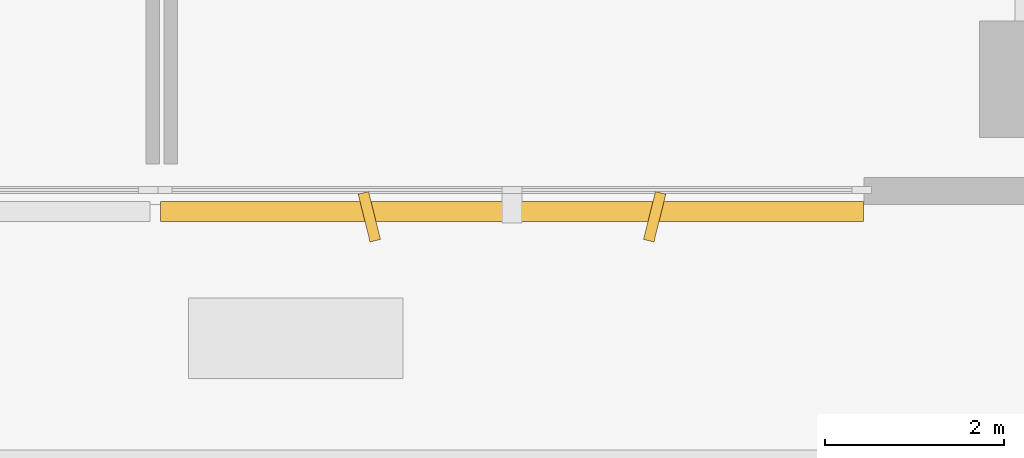
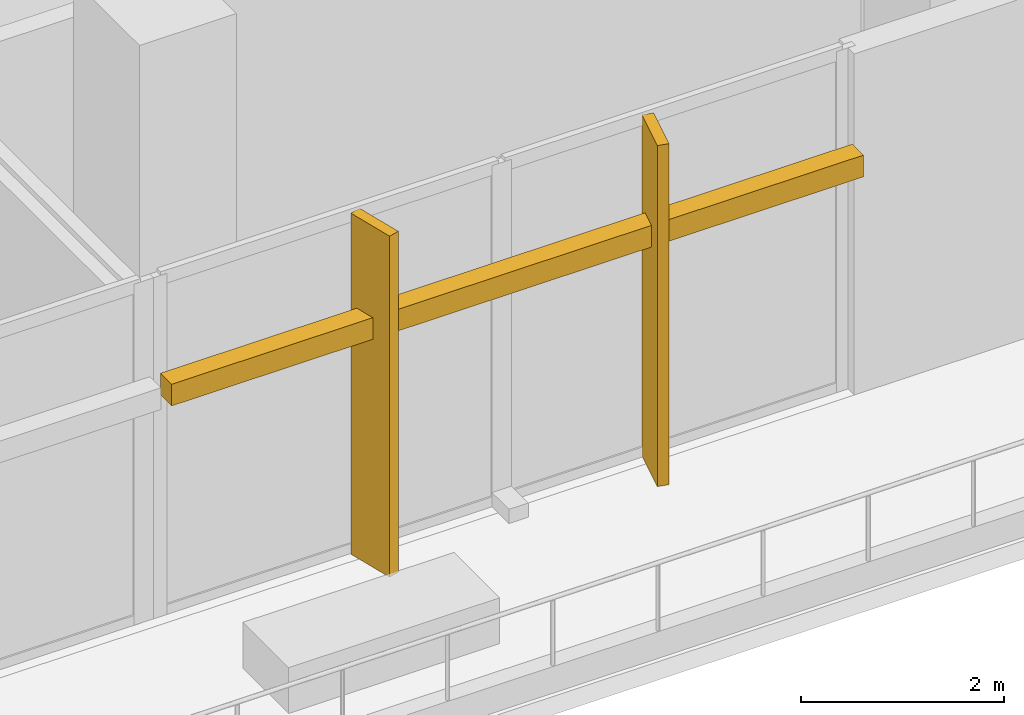
# One storey, part 22 of 31: 3 shading devices.
"""IFC4 building model written with IfcOpenShell, lengths in metres."""

import ifcopenshell
import ifcopenshell.guid

model = None  # the IFC model being written
_history = None  # IfcOwnerHistory: only IFC2X3 demands one
_inside = {}  # id of a spatial element -> (the spatial element, [elements in it])
_under = {}  # id of a project, library or spatial element -> (it, [spatial elements below it])
_declared = {}  # id of a project -> (the project, [libraries it declares])
_typed = {}  # id of a type object -> (the type object, [elements of that type])
_made_of = {}  # id of a material, layer set ... -> (it, [elements and type objects made of it])


def new_model(schema):
    """Start an empty IFC model of exactly this schema.

    Asked for "IFC4X3", IfcOpenShell would pick the latest addendum, in which some entities
    have other attributes; the version numbers below select the first issue.
    IFC2X3 requires an IfcOwnerHistory on every rooted entity: one is made here for all.
    """
    global model, _history
    if schema == "IFC4X3":
        model = ifcopenshell.file(schema_version=(4, 3, 0, 0))
    else:
        model = ifcopenshell.file(schema=schema)
    _inside.clear()
    _under.clear()
    _declared.clear()
    _typed.clear()
    _made_of.clear()
    _history = None
    if model.schema == "IFC2X3":
        org = make("IfcOrganization", Name="unknown")
        user = make(
            "IfcPersonAndOrganization",
            ThePerson=make("IfcPerson", FamilyName="unknown"),
            TheOrganization=org,
        )
        app = make(
            "IfcApplication",
            ApplicationDeveloper=org,
            Version="unknown",
            ApplicationFullName="unknown",
            ApplicationIdentifier="unknown",
        )
        _history = make(
            "IfcOwnerHistory",
            OwningUser=user,
            OwningApplication=app,
            ChangeAction="ADDED",
            CreationDate=0,
        )
    return model


def make(cls, **values):
    """One entity of the class cls with the attributes given. An attribute that is None is left unset."""
    return model.create_entity(
        cls, **{name: value for name, value in values.items() if value is not None}
    )


def rooted(cls, **values):
    """An entity with a GlobalId (a new one), such as an element, a storey or a relation."""
    return make(cls, GlobalId=ifcopenshell.guid.new(), OwnerHistory=_history, **values)


def si_unit(unit_type, name, prefix=None):
    """IfcSIUnit, for example si_unit("LENGTHUNIT", "METRE", prefix="MILLI")."""
    return make("IfcSIUnit", UnitType=unit_type, Prefix=prefix, Name=name)


def derived_unit(unit_type, elements):
    """IfcDerivedUnit: a product of units, each with its exponent."""
    return make(
        "IfcDerivedUnit",
        Elements=[
            make("IfcDerivedUnitElement", Unit=unit, Exponent=power)
            for unit, power in elements
        ],
        UnitType=unit_type,
    )


def assignment(units):
    """IfcUnitAssignment: the units of a project."""
    return None if units is None else make("IfcUnitAssignment", Units=units)


def point(xyz):
    """IfcCartesianPoint."""
    return None if xyz is None else make("IfcCartesianPoint", Coordinates=xyz)


def direction(xyz):
    """IfcDirection."""
    return None if xyz is None else make("IfcDirection", DirectionRatios=xyz)


def frame(location, z_axis=None, x_axis=None):
    """IfcAxis2Placement3D, a coordinate frame: its origin and axes. An axis left out is left unset."""
    return make(
        "IfcAxis2Placement3D",
        Location=point(location),
        Axis=direction(z_axis),
        RefDirection=direction(x_axis),
    )


def frame_2d(location, x_axis=None):
    """IfcAxis2Placement2D, a coordinate frame in the plane: its origin and x axis."""
    return make(
        "IfcAxis2Placement2D", Location=point(location), RefDirection=direction(x_axis)
    )


def origin():
    """The frame at (0, 0, 0) with its axes left unset."""
    return frame((0.0, 0.0, 0.0))


def origin_2d():
    """The frame at (0, 0) in the plane with its x axis left unset."""
    return frame_2d((0.0, 0.0))


def place(relative_to, where):
    """IfcLocalPlacement: puts the frame where relative to a parent placement (None: the world)."""
    return make(
        "IfcLocalPlacement", PlacementRelTo=relative_to, RelativePlacement=where
    )


def context(
    kind, dimensions, precision=None, world=None, true_north=None, identifier=None
):
    """IfcGeometricRepresentationContext, for example the 3D "Model" context."""
    return make(
        "IfcGeometricRepresentationContext",
        ContextIdentifier=identifier,
        ContextType=kind,
        CoordinateSpaceDimension=dimensions,
        Precision=precision,
        WorldCoordinateSystem=world,
        TrueNorth=true_north,
    )


def subcontext(parent, identifier, kind, view, scale=None):
    """IfcGeometricRepresentationSubContext, for example "Body" below "Model"."""
    return make(
        "IfcGeometricRepresentationSubContext",
        ContextIdentifier=identifier,
        ContextType=kind,
        ParentContext=parent,
        TargetScale=scale,
        TargetView=view,
    )


def project(units=None, contexts=None):
    """IfcProject with its units and contexts."""
    return rooted(
        "IfcProject",
        Name="project",
        RepresentationContexts=contexts,
        UnitsInContext=assignment(units),
    )


def spatial(cls, under=None, at=None, **own):
    """A site, building, storey or space (cls), placed at a placement, below another one or the project."""
    s = rooted(cls, ObjectPlacement=at, **own)
    if under is not None:
        _under.setdefault(under.id(), (under, []))[1].append(s)
    return s


def profile(cls, at=None, kind="AREA", **sizes):
    """A parametric profile (cls). Its sizes go by their IFC names, for example OverallWidth=200.0."""
    return make(cls, ProfileType=kind, Position=at, **sizes)


def rectangle(**sizes):
    """IfcRectangleProfileDef."""
    return profile("IfcRectangleProfileDef", **sizes)


def extrude(swept, where, along, depth):
    """IfcExtrudedAreaSolid: the profile swept, set in the frame where, extruded along a direction by depth."""
    return make(
        "IfcExtrudedAreaSolid",
        SweptArea=swept,
        Position=where,
        ExtrudedDirection=direction(along),
        Depth=depth,
    )


def shape(context_of_items, identifier, shape_type, items):
    """IfcShapeRepresentation: the items that make up one representation, for example the "Body"."""
    return make(
        "IfcShapeRepresentation",
        ContextOfItems=context_of_items,
        RepresentationIdentifier=identifier,
        RepresentationType=shape_type,
        Items=items,
    )


def material(Name=None, Category=None):
    """IfcMaterial."""
    return make("IfcMaterial", Name=Name, Category=Category)


def made_of(thing, what):
    """Note that an element or type object is made of a material, layer set ...; save() writes the relation."""
    if what is not None:
        _made_of.setdefault(what.id(), (what, []))[1].append(thing)
    return thing


def type_object(cls, material=None, **own):
    """A type object (cls), such as IfcWallType, which elements share."""
    return made_of(rooted(cls, **own), material)


def element(
    cls,
    number,
    at=None,
    inside=None,
    cuts=None,
    type_object=None,
    material=None,
    context=None,
    identifier="Body",
    shape_type=None,
    held_by="IfcProductDefinitionShape",
    body=None,
    shapes=None,
    **own,
):
    """One element of the class cls, such as IfcWall. Its Tag is "e" and its number.

    at: its placement. inside: the storey or other place that contains it. cuts: it is an
    opening in that element (IfcRelVoidsElement). A single representation is given by context,
    identifier, shape_type and body (its items); several are given by shapes. held_by: the class
    of the entity that holds the representations. save() writes the other relations.
    """
    e = rooted(cls, Tag="e%d" % number, ObjectPlacement=at, **own)
    if body is not None:
        shapes = [shape(context, identifier, shape_type, body)]
    if shapes is not None:
        e.Representation = make(held_by, Representations=shapes)
    if inside is not None:
        _inside.setdefault(inside.id(), (inside, []))[1].append(e)
    if cuts is not None:
        rooted(
            "IfcRelVoidsElement", RelatingBuildingElement=cuts, RelatedOpeningElement=e
        )
    if type_object is not None:
        _typed.setdefault(type_object.id(), (type_object, []))[1].append(e)
    return made_of(e, material)


def aggregate(whole, parts):
    """IfcRelAggregates: a whole, such as a stair, and the parts it consists of."""
    return rooted("IfcRelAggregates", RelatingObject=whole, RelatedObjects=parts)


def save(model, path):
    """Write the relations noted so far, then the file.

    IfcRelAggregates (storeys below a building ...), IfcRelContainedInSpatialStructure (elements
    in a storey), IfcRelDefinesByType, IfcRelAssociatesMaterial and IfcRelDeclares: one each for
    every whole, place, type object, material and project.
    """
    for whole, parts in _under.values():
        aggregate(whole, parts)
    for where, things in _inside.values():
        rooted(
            "IfcRelContainedInSpatialStructure",
            RelatedElements=things,
            RelatingStructure=where,
        )
    for kind, things in _typed.values():
        rooted("IfcRelDefinesByType", RelatedObjects=things, RelatingType=kind)
    for what, things in _made_of.values():
        rooted("IfcRelAssociatesMaterial", RelatedObjects=things, RelatingMaterial=what)
    for by, libraries in _declared.values():
        rooted("IfcRelDeclares", RelatingContext=by, RelatedDefinitions=libraries)
    model.write(path)


model = new_model("IFC4")

# Units and contexts
model_context = context("Model", 3, precision=1e-05, world=origin(), true_north=direction((0.0, 1.0)))
body_context = subcontext(model_context, "Body", "Model", "MODEL_VIEW")
ifc_project = project(units=[si_unit("LENGTHUNIT", "METRE"), si_unit("AREAUNIT", "SQUARE_METRE"), si_unit("VOLUMEUNIT", "CUBIC_METRE"), si_unit("PLANEANGLEUNIT", "RADIAN"), si_unit("MASSUNIT", "GRAM", prefix="KILO"), derived_unit("THERMALTRANSMITTANCEUNIT", [(si_unit("POWERUNIT", "WATT"), 1), (si_unit("LENGTHUNIT", "METRE"), -2), (si_unit("THERMODYNAMICTEMPERATUREUNIT", "KELVIN"), -1)])], contexts=[model_context])

# Site, building, storey
site_placement = place(None, origin())
site = spatial("IfcSite", under=ifc_project, at=site_placement, CompositionType="ELEMENT")
building_placement = place(site_placement, origin())
building = spatial("IfcBuilding", under=site, at=building_placement, Name="Kivonza Crest Hotel", CompositionType="ELEMENT")
storey_placement = place(building_placement, frame((0.0, 0.0, 15.0)))
storey = spatial("IfcBuildingStorey", under=building, at=storey_placement, Name="L03", CompositionType="ELEMENT", Elevation=15.0)

# Shading devices
ifc_material_1 = material(Name="Kiln-fired Nairobi red-ochre terracotta", Category="masonry")
shading_device_type_1 = type_object("IfcShadingDeviceType", Name="SH-BAGUETTE-300", PredefinedType="USERDEFINED", material=ifc_material_1)
shading_device_placement = place(storey_placement, frame((36.02001953125, 5.919921875, 2.740234375), z_axis=(0.0, 0.0, 1.0), x_axis=(1.0, 0.0, 0.0)))
element("IfcShadingDevice", 1, at=shading_device_placement, inside=storey, type_object=shading_device_type_1, Name="L03 terracotta baguette screen CW-POD-L03-05", ObjectType="BAGUETTE", PredefinedType="USERDEFINED", context=body_context, shape_type="SweptSolid", body=[
    extrude(rectangle(XDim=7.865966796875, YDim=0.219970703125, at=origin_2d()), origin(), (0.0, 0.0, 1.0), 0.260009765625),
])
ifc_material_2 = material(Name="Kiln-fired terracotta over extruded aluminium spine", Category="masonry")
shading_device_type_2 = type_object("IfcShadingDeviceType", Name="SH-FIN-550", PredefinedType="USERDEFINED", material=ifc_material_2)
for number, where, z_axis, x_axis, name in (
    (2, (34.423095703125, 5.860107421875, 0.0), (0.0, 0.0, 1.0), (0.970295726276, 0.2419218956, 0.0), "L03 vertical solar shading fin CW-POD-L03-05-1"),
    (3, (37.616943359375, 5.860107421875, 0.0), (0.0, 0.0, 1.0), (0.970295726276, -0.2419218956, 0.0), "L03 vertical solar shading fin CW-POD-L03-05-2"),
):
    element("IfcShadingDevice", number, at=place(storey_placement, frame(where, z_axis=z_axis, x_axis=x_axis)), inside=storey, type_object=shading_device_type_2, Name=name, ObjectType="FIN", PredefinedType="USERDEFINED", context=body_context, shape_type="SweptSolid", body=[
        extrude(rectangle(XDim=0.1201171875, YDim=0.550048828125, at=origin_2d()), origin(), (0.0, 0.0, 1.0), 4.10009765625),
    ])

save(model, "model.ifc")
